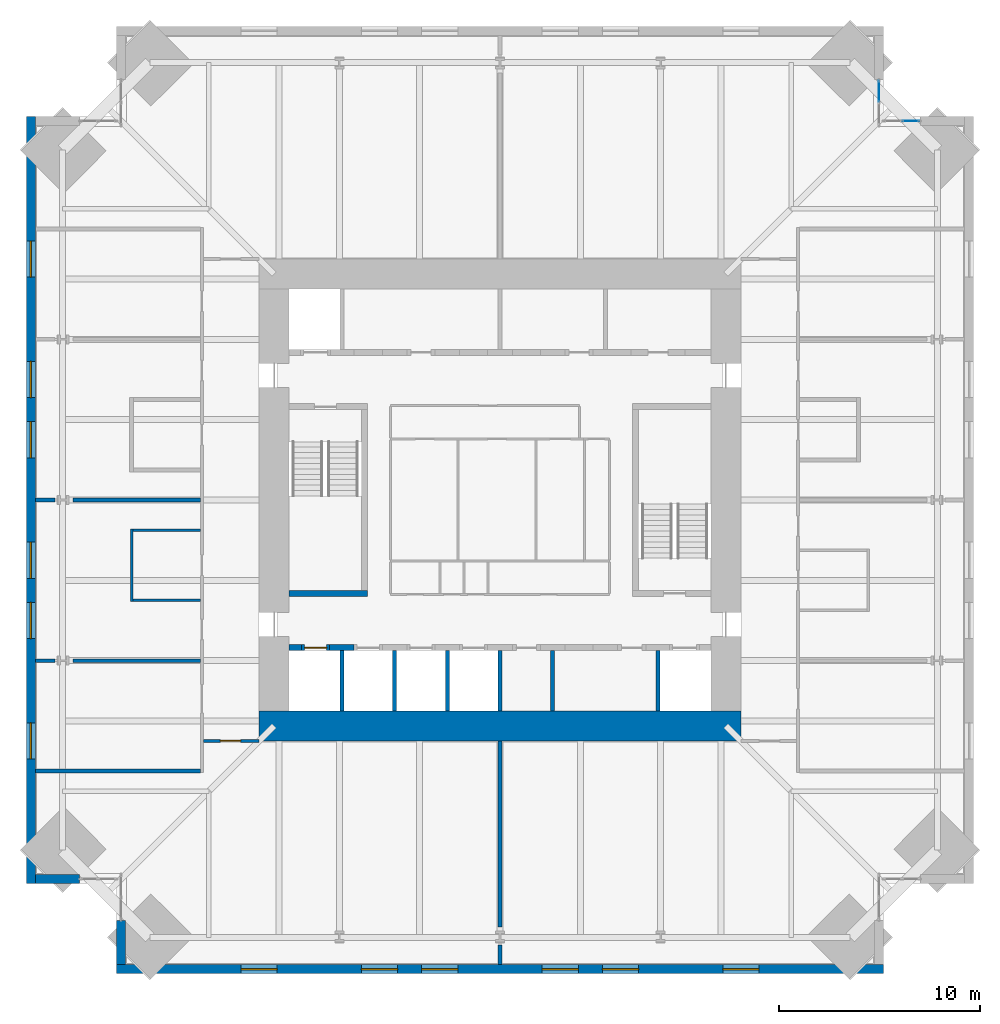
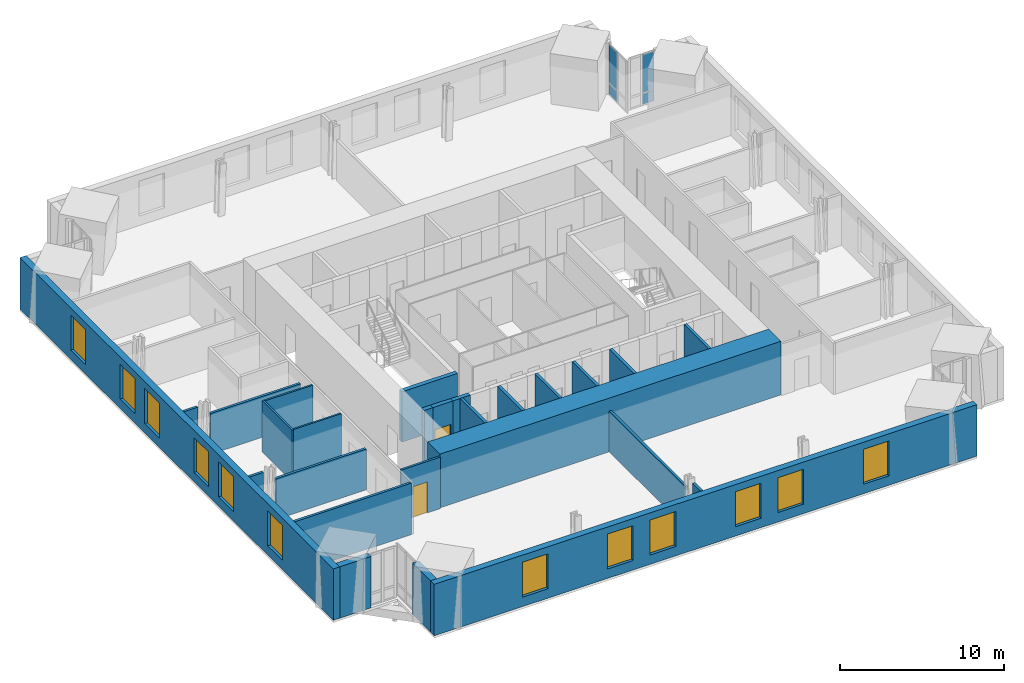
# One storey, part 10 of 15: 26 walls, 12 windows, 4 plates, 2 doors, 14 openings, 2 elements without a shape of their own.
"""IFC4 building model written with IfcOpenShell, lengths in metres."""

from ifc_helpers import new_model, si_unit, direction, frame, frame_2d, origin, origin_2d, place, context, subcontext, project, spatial, rectangle, extrude, material, layer, layer_set, type_object, element, fill, aggregate, save


model = new_model("IFC4")

# Units and contexts
model_context = context("Model", 3, precision=1e-05, world=origin(), true_north=direction((0.0, 1.0)))
body_context = subcontext(model_context, "Body", "Model", "MODEL_VIEW")
ifc_project = project(units=[si_unit("LENGTHUNIT", "METRE"), si_unit("AREAUNIT", "SQUARE_METRE"), si_unit("VOLUMEUNIT", "CUBIC_METRE"), si_unit("PLANEANGLEUNIT", "RADIAN"), si_unit("MASSUNIT", "GRAM", prefix="KILO")], contexts=[model_context])

# Site, building, storey
site_placement = place(None, origin())
site = spatial("IfcSite", under=ifc_project, at=site_placement, CompositionType="ELEMENT")
building_placement = place(site_placement, origin())
building = spatial("IfcBuilding", under=site, at=building_placement, Name="Peilmerk Tower", CompositionType="ELEMENT")
storey_placement = place(building_placement, frame((0.0, 0.0, 225.800048828125)))
storey = spatial("IfcBuildingStorey", under=building, at=storey_placement, Name="L49", CompositionType="ELEMENT", Elevation=225.800048828125)

# Curtain wall, plates
ifc_material_1 = material(Name="Aluminium stick curtain wall", Category="aluminium")
curtain_wall_type = type_object("IfcCurtainWallType", Name="CW4 stick curtain wall, 2250 module", PredefinedType="NOTDEFINED", material=ifc_material_1)
curtain_wall_1_placement = place(storey_placement, origin())
curtain_wall_1 = element("IfcCurtainWall", 1, at=curtain_wall_1_placement, inside=storey, type_object=curtain_wall_type, Name="Curtain wall CW4 NEA L49", PredefinedType="NOTDEFINED")
ifc_material_2 = material(Name="Clear insulated glazing unit", Category="glass")
ifc_layer_1 = layer(ifc_material_2, 0.028076171875)
ifc_layer_set_1 = layer_set([ifc_layer_1], Name="Clear insulated glazing unit")
plate_type = type_object("IfcPlateType", Name="CW4-P 28 glazed panel", PredefinedType="CURTAIN_PANEL", material=ifc_layer_set_1)
plate_1_placement = place(storey_placement, frame((18.875, 20.350341796875, 0.06494140625), z_axis=(0.0, 0.0, 1.0), x_axis=(0.0, 1.0, 0.0)))
plate_1 = element("IfcPlate", 2, at=plate_1_placement, type_object=plate_type, Name="CW4 panel 2.1", PredefinedType="CURTAIN_PANEL", context=body_context, shape_type="SweptSolid", body=[
    extrude(rectangle(XDim=1.046875, YDim=0.028076171875, at=origin_2d()), origin(), (0.0, 0.0, 1.0), 0.802490234375),
])
plate_2_placement = place(storey_placement, frame((18.875, 20.350341796875, 0.932373046875), z_axis=(0.0, 0.0, 1.0), x_axis=(0.0, 1.0, 0.0)))
plate_2 = element("IfcPlate", 3, at=plate_2_placement, type_object=plate_type, Name="CW4 panel 2.2", PredefinedType="CURTAIN_PANEL", context=body_context, shape_type="SweptSolid", body=[
    extrude(rectangle(XDim=1.046875, YDim=0.028076171875, at=origin_2d()), origin(), (0.0, 0.0, 1.0), 2.83251953125),
])
aggregate(curtain_wall_1, [plate_1, plate_2])

curtain_wall_2_placement = place(storey_placement, origin())
curtain_wall_2 = element("IfcCurtainWall", 4, at=curtain_wall_2_placement, inside=storey, type_object=curtain_wall_type, Name="Curtain wall CW4 NEB L49", PredefinedType="NOTDEFINED")
plate_3_placement = place(storey_placement, frame((20.462646484375, 18.875, 0.06494140625), z_axis=(0.0, 0.0, 1.0), x_axis=(1.0, 0.0, 0.0)))
plate_3 = element("IfcPlate", 5, at=plate_3_placement, type_object=plate_type, Name="CW4 panel 2.1", PredefinedType="CURTAIN_PANEL", context=body_context, shape_type="SweptSolid", body=[
    extrude(rectangle(XDim=0.82177734375, YDim=0.028076171875, at=origin_2d()), origin(), (0.0, 0.0, 1.0), 0.802490234375),
])
plate_4_placement = place(storey_placement, frame((20.462646484375, 18.875, 0.932373046875), z_axis=(0.0, 0.0, 1.0), x_axis=(1.0, 0.0, 0.0)))
plate_4 = element("IfcPlate", 6, at=plate_4_placement, type_object=plate_type, Name="CW4 panel 2.2", PredefinedType="CURTAIN_PANEL", context=body_context, shape_type="SweptSolid", body=[
    extrude(rectangle(XDim=0.82177734375, YDim=0.028076171875, at=origin_2d()), origin(), (0.0, 0.0, 1.0), 2.83251953125),
])
aggregate(curtain_wall_2, [plate_3, plate_4])

# Wall, openings, windows
ifc_material_3 = material(Name="Precast concrete C45/55, board-marked finish", Category="concrete")
ifc_layer_2 = layer(ifc_material_3, 0.449951171875)
ifc_layer_set_2 = layer_set([ifc_layer_2], Name="Precast concrete C45/55, board-marked finish")
wall_type_1 = type_object("IfcWallType", Name="EW1 450 precast concrete facade wall, board-marked", PredefinedType="SOLIDWALL", material=ifc_layer_set_2)
wall_1_placement = place(storey_placement, frame((-19.10009765625, -23.375, 0.0), z_axis=(0.0, 0.0, 1.0), x_axis=(1.0, 0.0, 0.0)))
wall_1 = element("IfcWall", 7, at=wall_1_placement, inside=storey, type_object=wall_type_1, Name="Facade wall S L49", PredefinedType="SOLIDWALL", context=body_context, shape_type="SweptSolid", body=[
    extrude(rectangle(XDim=38.2001953125, YDim=0.449951171875, at=frame_2d((19.10009765625, 0.0))), origin(), (0.0, 0.0, 1.0), 3.829833984375),
])
opening_1_placement = place(wall_1_placement, frame((6.199951171875, 0.0, 0.699951171875)))
opening_1 = element("IfcOpeningElement", 8, at=opening_1_placement, cuts=wall_1, Name="Opening W1", PredefinedType="OPENING", context=body_context, shape_type="SweptSolid", body=[
    extrude(rectangle(XDim=1.800048828125, YDim=2.60009765625, at=frame_2d((0.89990234375, 1.300048828125))), frame((0.0, 0.23486328125, 0.0), z_axis=(0.0, -1.0, 0.0), x_axis=(1.0, 0.0, 0.0)), (0.0, 0.0, 1.0), 0.469970703125),
])
opening_2_placement = place(wall_1_placement, frame((12.199951171875, 0.0, 0.699951171875)))
opening_2 = element("IfcOpeningElement", 9, at=opening_2_placement, cuts=wall_1, Name="Opening W1", PredefinedType="OPENING", context=body_context, shape_type="SweptSolid", body=[
    extrude(rectangle(XDim=1.800048828125, YDim=2.60009765625, at=frame_2d((0.89990234375, 1.300048828125))), frame((0.0, 0.23486328125, 0.0), z_axis=(0.0, -1.0, 0.0), x_axis=(1.0, 0.0, 0.0)), (0.0, 0.0, 1.0), 0.469970703125),
])
opening_3_placement = place(wall_1_placement, frame((15.199951171875, 0.0, 0.699951171875)))
opening_3 = element("IfcOpeningElement", 10, at=opening_3_placement, cuts=wall_1, Name="Opening W1", PredefinedType="OPENING", context=body_context, shape_type="SweptSolid", body=[
    extrude(rectangle(XDim=1.800048828125, YDim=2.60009765625, at=frame_2d((0.89990234375, 1.300048828125))), frame((0.0, 0.23486328125, 0.0), z_axis=(0.0, -1.0, 0.0), x_axis=(1.0, 0.0, 0.0)), (0.0, 0.0, 1.0), 0.469970703125),
])
opening_4_placement = place(wall_1_placement, frame((21.199951171875, 0.0, 0.699951171875)))
opening_4 = element("IfcOpeningElement", 11, at=opening_4_placement, cuts=wall_1, Name="Opening W1", PredefinedType="OPENING", context=body_context, shape_type="SweptSolid", body=[
    extrude(rectangle(XDim=1.800048828125, YDim=2.60009765625, at=frame_2d((0.89990234375, 1.300048828125))), frame((0.0, 0.23486328125, 0.0), z_axis=(0.0, -1.0, 0.0), x_axis=(1.0, 0.0, 0.0)), (0.0, 0.0, 1.0), 0.469970703125),
])
opening_5_placement = place(wall_1_placement, frame((24.199951171875, 0.0, 0.699951171875)))
opening_5 = element("IfcOpeningElement", 12, at=opening_5_placement, cuts=wall_1, Name="Opening W1", PredefinedType="OPENING", context=body_context, shape_type="SweptSolid", body=[
    extrude(rectangle(XDim=1.800048828125, YDim=2.60009765625, at=frame_2d((0.89990234375, 1.300048828125))), frame((0.0, 0.23486328125, 0.0), z_axis=(0.0, -1.0, 0.0), x_axis=(1.0, 0.0, 0.0)), (0.0, 0.0, 1.0), 0.469970703125),
])
opening_6_placement = place(wall_1_placement, frame((30.199951171875, 0.0, 0.699951171875)))
opening_6 = element("IfcOpeningElement", 13, at=opening_6_placement, cuts=wall_1, Name="Opening W1", PredefinedType="OPENING", context=body_context, shape_type="SweptSolid", body=[
    extrude(rectangle(XDim=1.800048828125, YDim=2.60009765625, at=frame_2d((0.89990234375, 1.300048828125))), frame((0.0, 0.23486328125, 0.0), z_axis=(0.0, -1.0, 0.0), x_axis=(1.0, 0.0, 0.0)), (0.0, 0.0, 1.0), 0.469970703125),
])
ifc_material_4 = material(Name="Aluminium frame, clear double glazing", Category="aluminium")
window_type = type_object("IfcWindowType", Name="W1 1800x2600 office window", PartitioningType="SINGLE_PANEL", PredefinedType="WINDOW", material=ifc_material_4)
window_1_placement = place(opening_1_placement, origin())
window_1 = element("IfcWindow", 14, at=window_1_placement, inside=storey, type_object=window_type, Name="Window W1 L49", OverallHeight=2.60009765625, OverallWidth=1.800048828125, PartitioningType="SINGLE_PANEL", PredefinedType="WINDOW", context=body_context, shape_type="SweptSolid", body=[
    extrude(rectangle(XDim=1.800048828125, YDim=2.60009765625, at=frame_2d((0.89990234375, 1.300048828125))), frame((0.0, 0.030029296875, 0.0), z_axis=(0.0, -1.0, 0.0), x_axis=(1.0, 0.0, 0.0)), (0.0, 0.0, 1.0), 0.06005859375),
])
fill(opening_1, window_1)
window_2_placement = place(opening_2_placement, origin())
window_2 = element("IfcWindow", 15, at=window_2_placement, inside=storey, type_object=window_type, Name="Window W1 L49", OverallHeight=2.60009765625, OverallWidth=1.800048828125, PartitioningType="SINGLE_PANEL", PredefinedType="WINDOW", context=body_context, shape_type="SweptSolid", body=[
    extrude(rectangle(XDim=1.800048828125, YDim=2.60009765625, at=frame_2d((0.89990234375, 1.300048828125))), frame((0.0, 0.030029296875, 0.0), z_axis=(0.0, -1.0, 0.0), x_axis=(1.0, 0.0, 0.0)), (0.0, 0.0, 1.0), 0.06005859375),
])
fill(opening_2, window_2)
window_3_placement = place(opening_3_placement, origin())
window_3 = element("IfcWindow", 16, at=window_3_placement, inside=storey, type_object=window_type, Name="Window W1 L49", OverallHeight=2.60009765625, OverallWidth=1.800048828125, PartitioningType="SINGLE_PANEL", PredefinedType="WINDOW", context=body_context, shape_type="SweptSolid", body=[
    extrude(rectangle(XDim=1.800048828125, YDim=2.60009765625, at=frame_2d((0.89990234375, 1.300048828125))), frame((0.0, 0.030029296875, 0.0), z_axis=(0.0, -1.0, 0.0), x_axis=(1.0, 0.0, 0.0)), (0.0, 0.0, 1.0), 0.06005859375),
])
fill(opening_3, window_3)
window_4_placement = place(opening_4_placement, origin())
window_4 = element("IfcWindow", 17, at=window_4_placement, inside=storey, type_object=window_type, Name="Window W1 L49", OverallHeight=2.60009765625, OverallWidth=1.800048828125, PartitioningType="SINGLE_PANEL", PredefinedType="WINDOW", context=body_context, shape_type="SweptSolid", body=[
    extrude(rectangle(XDim=1.800048828125, YDim=2.60009765625, at=frame_2d((0.89990234375, 1.300048828125))), frame((0.0, 0.030029296875, 0.0), z_axis=(0.0, -1.0, 0.0), x_axis=(1.0, 0.0, 0.0)), (0.0, 0.0, 1.0), 0.06005859375),
])
fill(opening_4, window_4)
window_5_placement = place(opening_5_placement, origin())
window_5 = element("IfcWindow", 18, at=window_5_placement, inside=storey, type_object=window_type, Name="Window W1 L49", OverallHeight=2.60009765625, OverallWidth=1.800048828125, PartitioningType="SINGLE_PANEL", PredefinedType="WINDOW", context=body_context, shape_type="SweptSolid", body=[
    extrude(rectangle(XDim=1.800048828125, YDim=2.60009765625, at=frame_2d((0.89990234375, 1.300048828125))), frame((0.0, 0.030029296875, 0.0), z_axis=(0.0, -1.0, 0.0), x_axis=(1.0, 0.0, 0.0)), (0.0, 0.0, 1.0), 0.06005859375),
])
fill(opening_5, window_5)
window_6_placement = place(opening_6_placement, origin())
window_6 = element("IfcWindow", 19, at=window_6_placement, inside=storey, type_object=window_type, Name="Window W1 L49", OverallHeight=2.60009765625, OverallWidth=1.800048828125, PartitioningType="SINGLE_PANEL", PredefinedType="WINDOW", context=body_context, shape_type="SweptSolid", body=[
    extrude(rectangle(XDim=1.800048828125, YDim=2.60009765625, at=frame_2d((0.89990234375, 1.300048828125))), frame((0.0, 0.030029296875, 0.0), z_axis=(0.0, -1.0, 0.0), x_axis=(1.0, 0.0, 0.0)), (0.0, 0.0, 1.0), 0.06005859375),
])
fill(opening_6, window_6)

wall_2_placement = place(storey_placement, frame((-23.375, 19.10009765625, 0.0), z_axis=(0.0, 0.0, 1.0), x_axis=(0.0, -1.0, 0.0)))
wall_2 = element("IfcWall", 20, at=wall_2_placement, inside=storey, type_object=wall_type_1, Name="Facade wall W L49", PredefinedType="SOLIDWALL", context=body_context, shape_type="SweptSolid", body=[
    extrude(rectangle(XDim=38.2001953125, YDim=0.449951171875, at=frame_2d((19.10009765625, 0.0))), origin(), (0.0, 0.0, 1.0), 3.829833984375),
])
opening_7_placement = place(wall_2_placement, frame((6.199951171875, 0.0, 0.699951171875)))
opening_7 = element("IfcOpeningElement", 21, at=opening_7_placement, cuts=wall_2, Name="Opening W1", PredefinedType="OPENING", context=body_context, shape_type="SweptSolid", body=[
    extrude(rectangle(XDim=1.800048828125, YDim=2.60009765625, at=frame_2d((0.89990234375, 1.300048828125))), frame((0.0, 0.23486328125, 0.0), z_axis=(0.0, -1.0, 0.0), x_axis=(1.0, 0.0, 0.0)), (0.0, 0.0, 1.0), 0.469970703125),
])
opening_8_placement = place(wall_2_placement, frame((12.199951171875, 0.0, 0.699951171875)))
opening_8 = element("IfcOpeningElement", 22, at=opening_8_placement, cuts=wall_2, Name="Opening W1", PredefinedType="OPENING", context=body_context, shape_type="SweptSolid", body=[
    extrude(rectangle(XDim=1.800048828125, YDim=2.60009765625, at=frame_2d((0.89990234375, 1.300048828125))), frame((0.0, 0.23486328125, 0.0), z_axis=(0.0, -1.0, 0.0), x_axis=(1.0, 0.0, 0.0)), (0.0, 0.0, 1.0), 0.469970703125),
])
opening_9_placement = place(wall_2_placement, frame((15.199951171875, 0.0, 0.699951171875)))
opening_9 = element("IfcOpeningElement", 23, at=opening_9_placement, cuts=wall_2, Name="Opening W1", PredefinedType="OPENING", context=body_context, shape_type="SweptSolid", body=[
    extrude(rectangle(XDim=1.800048828125, YDim=2.60009765625, at=frame_2d((0.89990234375, 1.300048828125))), frame((0.0, 0.23486328125, 0.0), z_axis=(0.0, -1.0, 0.0), x_axis=(1.0, 0.0, 0.0)), (0.0, 0.0, 1.0), 0.469970703125),
])
opening_10_placement = place(wall_2_placement, frame((21.199951171875, 0.0, 0.699951171875)))
opening_10 = element("IfcOpeningElement", 24, at=opening_10_placement, cuts=wall_2, Name="Opening W1", PredefinedType="OPENING", context=body_context, shape_type="SweptSolid", body=[
    extrude(rectangle(XDim=1.800048828125, YDim=2.60009765625, at=frame_2d((0.89990234375, 1.300048828125))), frame((0.0, 0.23486328125, 0.0), z_axis=(0.0, -1.0, 0.0), x_axis=(1.0, 0.0, 0.0)), (0.0, 0.0, 1.0), 0.469970703125),
])
opening_11_placement = place(wall_2_placement, frame((24.199951171875, 0.0, 0.699951171875)))
opening_11 = element("IfcOpeningElement", 25, at=opening_11_placement, cuts=wall_2, Name="Opening W1", PredefinedType="OPENING", context=body_context, shape_type="SweptSolid", body=[
    extrude(rectangle(XDim=1.800048828125, YDim=2.60009765625, at=frame_2d((0.89990234375, 1.300048828125))), frame((0.0, 0.23486328125, 0.0), z_axis=(0.0, -1.0, 0.0), x_axis=(1.0, 0.0, 0.0)), (0.0, 0.0, 1.0), 0.469970703125),
])
opening_12_placement = place(wall_2_placement, frame((30.199951171875, 0.0, 0.699951171875)))
opening_12 = element("IfcOpeningElement", 26, at=opening_12_placement, cuts=wall_2, Name="Opening W1", PredefinedType="OPENING", context=body_context, shape_type="SweptSolid", body=[
    extrude(rectangle(XDim=1.800048828125, YDim=2.60009765625, at=frame_2d((0.89990234375, 1.300048828125))), frame((0.0, 0.23486328125, 0.0), z_axis=(0.0, -1.0, 0.0), x_axis=(1.0, 0.0, 0.0)), (0.0, 0.0, 1.0), 0.469970703125),
])
window_7_placement = place(opening_7_placement, origin())
window_7 = element("IfcWindow", 27, at=window_7_placement, inside=storey, type_object=window_type, Name="Window W1 L49", OverallHeight=2.60009765625, OverallWidth=1.800048828125, PartitioningType="SINGLE_PANEL", PredefinedType="WINDOW", context=body_context, shape_type="SweptSolid", body=[
    extrude(rectangle(XDim=1.800048828125, YDim=2.60009765625, at=frame_2d((0.89990234375, 1.300048828125))), frame((0.0, 0.030029296875, 0.0), z_axis=(0.0, -1.0, 0.0), x_axis=(1.0, 0.0, 0.0)), (0.0, 0.0, 1.0), 0.06005859375),
])
fill(opening_7, window_7)
window_8_placement = place(opening_8_placement, origin())
window_8 = element("IfcWindow", 28, at=window_8_placement, inside=storey, type_object=window_type, Name="Window W1 L49", OverallHeight=2.60009765625, OverallWidth=1.800048828125, PartitioningType="SINGLE_PANEL", PredefinedType="WINDOW", context=body_context, shape_type="SweptSolid", body=[
    extrude(rectangle(XDim=1.800048828125, YDim=2.60009765625, at=frame_2d((0.89990234375, 1.300048828125))), frame((0.0, 0.030029296875, 0.0), z_axis=(0.0, -1.0, 0.0), x_axis=(1.0, 0.0, 0.0)), (0.0, 0.0, 1.0), 0.06005859375),
])
fill(opening_8, window_8)
window_9_placement = place(opening_9_placement, origin())
window_9 = element("IfcWindow", 29, at=window_9_placement, inside=storey, type_object=window_type, Name="Window W1 L49", OverallHeight=2.60009765625, OverallWidth=1.800048828125, PartitioningType="SINGLE_PANEL", PredefinedType="WINDOW", context=body_context, shape_type="SweptSolid", body=[
    extrude(rectangle(XDim=1.800048828125, YDim=2.60009765625, at=frame_2d((0.89990234375, 1.300048828125))), frame((0.0, 0.030029296875, 0.0), z_axis=(0.0, -1.0, 0.0), x_axis=(1.0, 0.0, 0.0)), (0.0, 0.0, 1.0), 0.06005859375),
])
fill(opening_9, window_9)
window_10_placement = place(opening_10_placement, origin())
window_10 = element("IfcWindow", 30, at=window_10_placement, inside=storey, type_object=window_type, Name="Window W1 L49", OverallHeight=2.60009765625, OverallWidth=1.800048828125, PartitioningType="SINGLE_PANEL", PredefinedType="WINDOW", context=body_context, shape_type="SweptSolid", body=[
    extrude(rectangle(XDim=1.800048828125, YDim=2.60009765625, at=frame_2d((0.89990234375, 1.300048828125))), frame((0.0, 0.030029296875, 0.0), z_axis=(0.0, -1.0, 0.0), x_axis=(1.0, 0.0, 0.0)), (0.0, 0.0, 1.0), 0.06005859375),
])
fill(opening_10, window_10)
window_11_placement = place(opening_11_placement, origin())
window_11 = element("IfcWindow", 31, at=window_11_placement, inside=storey, type_object=window_type, Name="Window W1 L49", OverallHeight=2.60009765625, OverallWidth=1.800048828125, PartitioningType="SINGLE_PANEL", PredefinedType="WINDOW", context=body_context, shape_type="SweptSolid", body=[
    extrude(rectangle(XDim=1.800048828125, YDim=2.60009765625, at=frame_2d((0.89990234375, 1.300048828125))), frame((0.0, 0.030029296875, 0.0), z_axis=(0.0, -1.0, 0.0), x_axis=(1.0, 0.0, 0.0)), (0.0, 0.0, 1.0), 0.06005859375),
])
fill(opening_11, window_11)
window_12_placement = place(opening_12_placement, origin())
window_12 = element("IfcWindow", 32, at=window_12_placement, inside=storey, type_object=window_type, Name="Window W1 L49", OverallHeight=2.60009765625, OverallWidth=1.800048828125, PartitioningType="SINGLE_PANEL", PredefinedType="WINDOW", context=body_context, shape_type="SweptSolid", body=[
    extrude(rectangle(XDim=1.800048828125, YDim=2.60009765625, at=frame_2d((0.89990234375, 1.300048828125))), frame((0.0, 0.030029296875, 0.0), z_axis=(0.0, -1.0, 0.0), x_axis=(1.0, 0.0, 0.0)), (0.0, 0.0, 1.0), 0.06005859375),
])
fill(opening_12, window_12)

# Walls
for number, where, z_axis, x_axis, name in (
    (33, (-18.875, -20.95361328125, 0.0), (0.0, 0.0, 1.0), (0.0, -1.0, 0.0), "Facade wall SWA L49"),
    (34, (-20.95361328125, -18.875, 0.0), (0.0, 0.0, 1.0), (-1.0, 0.0, 0.0), "Facade wall SWB L49"),
):
    element("IfcWall", number, at=place(storey_placement, frame(where, z_axis=z_axis, x_axis=x_axis)), inside=storey, type_object=wall_type_1, Name=name, PredefinedType="SOLIDWALL", context=body_context, shape_type="SweptSolid", body=[
        extrude(rectangle(XDim=2.1962890625, YDim=0.449951171875, at=frame_2d((1.09814453125, 0.0))), origin(), (0.0, 0.0, 1.0), 3.829833984375),
    ])

# Wall, opening, door
ifc_material_5 = material(Name="Calcium silicate block", Category="masonry")
ifc_layer_3 = layer(ifc_material_5, 0.14990234375)
ifc_layer_set_3 = layer_set([ifc_layer_3], Name="Calcium silicate block")
wall_type_2 = type_object("IfcWallType", Name="IW1 150 corridor partition, EI 60", PredefinedType="PARTITIONING", material=ifc_layer_set_3)
wall_3_placement = place(storey_placement, frame((-12.0, -12.0, 0.0), z_axis=(0.0, 0.0, 1.0), x_axis=(-1.0, 0.0, 0.0)))
wall_3 = element("IfcWall", 35, at=wall_3_placement, inside=storey, type_object=wall_type_2, Name="Corridor wall SW L49", PredefinedType="PARTITIONING", context=body_context, shape_type="SweptSolid", body=[
    extrude(rectangle(XDim=2.77490234375, YDim=0.14990234375, at=frame_2d((1.387451171875, 0.0))), origin(), (0.0, 0.0, 1.0), 3.829833984375),
])
opening_13_placement = place(wall_3_placement, frame((0.925048828125, 0.0, 0.0)))
opening_13 = element("IfcOpeningElement", 36, at=opening_13_placement, cuts=wall_3, Name="Opening D1", PredefinedType="OPENING", context=body_context, shape_type="SweptSolid", body=[
    extrude(rectangle(XDim=1.0, YDim=2.300048828125, at=frame_2d((0.5, 1.14990234375))), frame((0.0, 0.0849609375, 0.0), z_axis=(0.0, -1.0, 0.0), x_axis=(1.0, 0.0, 0.0)), (0.0, 0.0, 1.0), 0.169921875),
])
ifc_material_6 = material(Name="Timber door in steel frame", Category="steel")
door_type_1 = type_object("IfcDoorType", Name="D1 1000x2300 room door, EI2 30", OperationType="SINGLE_SWING_LEFT", PredefinedType="DOOR", material=ifc_material_6)
door_1_placement = place(opening_13_placement, origin())
door_1 = element("IfcDoor", 37, at=door_1_placement, inside=storey, type_object=door_type_1, Name="Door Office L49", OperationType="SINGLE_SWING_LEFT", OverallHeight=2.300048828125, OverallWidth=1.0, PredefinedType="DOOR", context=body_context, shape_type="SweptSolid", body=[
    extrude(rectangle(XDim=1.0, YDim=2.300048828125, at=frame_2d((0.5, 1.14990234375))), frame((0.0, 0.02490234375, 0.0), z_axis=(0.0, -1.0, 0.0), x_axis=(1.0, 0.0, 0.0)), (0.0, 0.0, 1.0), 0.050048828125),
])
fill(opening_13, door_1)

# Walls
ifc_material_7 = material(Name="Concrete C35/45", Category="concrete")
ifc_layer_4 = layer(ifc_material_7, 0.300048828125)
ifc_layer_set_4 = layer_set([ifc_layer_4], Name="Concrete C35/45")
wall_type_3 = type_object("IfcWallType", Name="IW3 300 concrete stair enclosure wall, EI 120", PredefinedType="SOLIDWALL", material=ifc_layer_set_4)
wall_4_placement = place(storey_placement, frame((-6.60009765625, -4.64990234375, 0.0), z_axis=(0.0, 0.0, 1.0), x_axis=(-1.0, 0.0, 0.0)))
element("IfcWall", 38, at=wall_4_placement, inside=storey, type_object=wall_type_3, Name="Stair 1 enclosure L49", PredefinedType="SOLIDWALL", context=body_context, shape_type="SweptSolid", body=[
    extrude(rectangle(XDim=3.89990234375, YDim=0.300048828125, at=frame_2d((1.949951171875, 0.0))), origin(), (0.0, 0.0, 1.0), 3.75),
])
ifc_material_8 = material(Name="Plasterboard on steel studs, double boarded with mineral wool", Category="steel")
ifc_layer_5 = layer(ifc_material_8, 0.125)
ifc_layer_set_5 = layer_set([ifc_layer_5], Name="Plasterboard on steel studs, double boarded with mineral wool")
wall_type_4 = type_object("IfcWallType", Name="IW7 125 acoustic partition, EI 30", PredefinedType="PARTITIONING", material=ifc_layer_set_5)
wall_5_placement = place(storey_placement, frame((-18.35009765625, -5.0625, 0.0), z_axis=(0.0, 0.0, 1.0), x_axis=(0.0, 1.0, 0.0)))
element("IfcWall", 39, at=wall_5_placement, inside=storey, type_object=wall_type_4, Name="Acoustic partition Pantry L49", PredefinedType="PARTITIONING", context=body_context, shape_type="SweptSolid", body=[
    extrude(rectangle(XDim=3.625, YDim=0.125, at=frame_2d((1.8125, 0.0))), origin(), (0.0, 0.0, 1.0), 3.829833984375),
])
for number, where, z_axis, x_axis, name in (
    (40, (-14.925048828125, -5.0, 0.0), (0.0, 0.0, 1.0), (-1.0, 0.0, 0.0), "Acoustic partition Pantry L49"),
    (41, (-14.925048828125, -1.5, 0.0), (0.0, 0.0, 1.0), (-1.0, 0.0, 0.0), "Acoustic partition Pantry L49"),
):
    element("IfcWall", number, at=place(storey_placement, frame(where, z_axis=z_axis, x_axis=x_axis)), inside=storey, type_object=wall_type_4, Name=name, PredefinedType="PARTITIONING", context=body_context, shape_type="SweptSolid", body=[
        extrude(rectangle(XDim=3.362548828125, YDim=0.125, at=frame_2d((1.68115234375, 0.0))), origin(), (0.0, 0.0, 1.0), 3.829833984375),
    ])
ifc_layer_6 = layer(ifc_material_5, 0.175048828125)
ifc_layer_set_6 = layer_set([ifc_layer_6], Name="Calcium silicate block")
wall_type_5 = type_object("IfcWallType", Name="IW8 175 tenant separating wall, EI 60", PredefinedType="PARTITIONING", material=ifc_layer_set_6)
wall_6_placement = place(storey_placement, frame((-14.925048828125, -13.5, 0.0), z_axis=(0.0, 0.0, 1.0), x_axis=(-1.0, 0.0, 0.0)))
element("IfcWall", 42, at=wall_6_placement, inside=storey, type_object=wall_type_5, Name="Tenant separating wall SW L49", PredefinedType="PARTITIONING", context=body_context, shape_type="SweptSolid", body=[
    extrude(rectangle(XDim=8.224853515625, YDim=0.175048828125, at=frame_2d((4.1123046875, 0.0))), origin(), (0.0, 0.0, 1.0), 3.829833984375),
])
wall_7_placement = place(storey_placement, frame((0.0, -12.0, 0.0), z_axis=(0.0, 0.0, 1.0), x_axis=(0.0, -1.0, 0.0)))
element("IfcWall", 43, at=wall_7_placement, inside=storey, type_object=wall_type_5, Name="Tenant separating wall S1 L49", PredefinedType="PARTITIONING", context=body_context, shape_type="SweptSolid", body=[
    extrude(rectangle(XDim=9.2666015625, YDim=0.175048828125, at=frame_2d((4.63330078125, 0.0))), origin(), (0.0, 0.0, 1.0), 3.0400390625),
])
wall_8_placement = place(storey_placement, frame((0.0, -22.156005859375, 0.0), z_axis=(0.0, 0.0, 1.0), x_axis=(0.0, -1.0, 0.0)))
element("IfcWall", 44, at=wall_8_placement, inside=storey, type_object=wall_type_5, Name="Tenant separating wall S1b L49", PredefinedType="PARTITIONING", context=body_context, shape_type="SweptSolid", body=[
    extrude(rectangle(XDim=0.993896484375, YDim=0.175048828125, at=frame_2d((0.4970703125, 0.0))), origin(), (0.0, 0.0, 1.0), 3.829833984375),
])
wall_9_placement = place(storey_placement, frame((-14.925048828125, -8.0, 0.0), z_axis=(0.0, 0.0, 1.0), x_axis=(-1.0, 0.0, 0.0)))
element("IfcWall", 45, at=wall_9_placement, inside=storey, type_object=wall_type_5, Name="Tenant separating wall W1 L49", PredefinedType="PARTITIONING", context=body_context, shape_type="SweptSolid", body=[
    extrude(rectangle(XDim=6.341552734375, YDim=0.175048828125, at=frame_2d((3.1708984375, 0.0))), origin(), (0.0, 0.0, 1.0), 3.0400390625),
])
wall_10_placement = place(storey_placement, frame((-22.156005859375, -8.0, 0.0), z_axis=(0.0, 0.0, 1.0), x_axis=(-1.0, 0.0, 0.0)))
element("IfcWall", 46, at=wall_10_placement, inside=storey, type_object=wall_type_5, Name="Tenant separating wall W1b L49", PredefinedType="PARTITIONING", context=body_context, shape_type="SweptSolid", body=[
    extrude(rectangle(XDim=0.993896484375, YDim=0.175048828125, at=frame_2d((0.4970703125, 0.0))), origin(), (0.0, 0.0, 1.0), 3.829833984375),
])
wall_11_placement = place(storey_placement, frame((-14.925048828125, 0.0, 0.0), z_axis=(0.0, 0.0, 1.0), x_axis=(-1.0, 0.0, 0.0)))
element("IfcWall", 47, at=wall_11_placement, inside=storey, type_object=wall_type_5, Name="Tenant separating wall W2 L49", PredefinedType="PARTITIONING", context=body_context, shape_type="SweptSolid", body=[
    extrude(rectangle(XDim=6.341552734375, YDim=0.175048828125, at=frame_2d((3.1708984375, 0.0))), origin(), (0.0, 0.0, 1.0), 3.0400390625),
])
wall_12_placement = place(storey_placement, frame((-22.156005859375, 0.0, 0.0), z_axis=(0.0, 0.0, 1.0), x_axis=(-1.0, 0.0, 0.0)))
element("IfcWall", 48, at=wall_12_placement, inside=storey, type_object=wall_type_5, Name="Tenant separating wall W2b L49", PredefinedType="PARTITIONING", context=body_context, shape_type="SweptSolid", body=[
    extrude(rectangle(XDim=0.993896484375, YDim=0.175048828125, at=frame_2d((0.4970703125, 0.0))), origin(), (0.0, 0.0, 1.0), 3.829833984375),
])
ifc_layer_7 = layer(ifc_material_5, 0.199951171875)
ifc_layer_set_7 = layer_set([ifc_layer_7], Name="Calcium silicate block")
wall_type_6 = type_object("IfcWallType", Name="SH1 200 shaft dividing wall, EI 120", PredefinedType="PARTITIONING", material=ifc_layer_set_7)
for number, where, z_axis, x_axis, name in (
    (49, (-7.875, -10.5, 0.0), (0.0, 0.0, 1.0), (0.0, 1.0, 0.0), "Shaft wall S C4 L49"),
    (50, (-5.25, -10.5, 0.0), (0.0, 0.0, 1.0), (0.0, 1.0, 0.0), "Shaft wall S C3 L49"),
    (51, (-2.625, -10.5, 0.0), (0.0, 0.0, 1.0), (0.0, 1.0, 0.0), "Shaft wall S C2 L49"),
    (52, (0.0, -10.5, 0.0), (0.0, 0.0, 1.0), (0.0, 1.0, 0.0), "Shaft wall S C1 L49"),
    (53, (2.625, -10.5, 0.0), (0.0, 0.0, 1.0), (0.0, 1.0, 0.0), "Shaft wall S B3 L49"),
    (54, (7.875, -10.5, 0.0), (0.0, 0.0, 1.0), (0.0, 1.0, 0.0), "Shaft wall S B1 L49"),
):
    element("IfcWall", number, at=place(storey_placement, frame(where, z_axis=z_axis, x_axis=x_axis)), inside=storey, type_object=wall_type_6, Name=name, PredefinedType="PARTITIONING", context=body_context, shape_type="SweptSolid", body=[
        extrude(rectangle(XDim=3.0, YDim=0.199951171875, at=frame_2d((1.5, 0.0))), origin(), (0.0, 0.0, 1.0), 4.0),
    ])

# Wall, opening, door
ifc_layer_8 = layer(ifc_material_5, 0.300048828125)
ifc_layer_set_8 = layer_set([ifc_layer_8], Name="Calcium silicate block")
wall_type_7 = type_object("IfcWallType", Name="SH2 300 lift landing door panel, EI 120", PredefinedType="PARTITIONING", material=ifc_layer_set_8)
wall_13_placement = place(storey_placement, frame((-9.887451171875, -7.35009765625, 0.0), z_axis=(0.0, 0.0, 1.0), x_axis=(1.0, 0.0, 0.0)))
wall_13 = element("IfcWall", 55, at=wall_13_placement, inside=storey, type_object=wall_type_7, Name="Lift door panel S C4 L49", PredefinedType="PARTITIONING", context=body_context, shape_type="SweptSolid", body=[
    extrude(rectangle(XDim=1.39990234375, YDim=0.300048828125, at=frame_2d((0.699951171875, 0.0))), origin(), (0.0, 0.0, 1.0), 4.0),
])
opening_14_placement = place(wall_13_placement, frame((0.14990234375, 0.0, 0.0)))
opening_14 = element("IfcOpeningElement", 56, at=opening_14_placement, cuts=wall_13, Name="Opening LD1", PredefinedType="OPENING", context=body_context, shape_type="SweptSolid", body=[
    extrude(rectangle(XDim=1.10009765625, YDim=2.300048828125, at=frame_2d((0.550048828125, 1.14990234375))), frame((0.0, 0.159912109375, 0.0), z_axis=(0.0, -1.0, 0.0), x_axis=(1.0, 0.0, 0.0)), (0.0, 0.0, 1.0), 0.320068359375),
])
ifc_material_9 = material(Name="Stainless steel landing door", Category="steel")
door_type_2 = type_object("IfcDoorType", Name="LD1 1100x2300 lift landing door, sliding, EI2 60", OperationType="SLIDING_TO_LEFT", PredefinedType="DOOR", material=ifc_material_9)
door_2_placement = place(opening_14_placement, origin())
door_2 = element("IfcDoor", 57, at=door_2_placement, inside=storey, type_object=door_type_2, Name="Lift landing door C4 L49", OperationType="SLIDING_TO_LEFT", OverallHeight=2.300048828125, OverallWidth=1.10009765625, PredefinedType="DOOR", context=body_context, shape_type="SweptSolid", body=[
    extrude(rectangle(XDim=1.10009765625, YDim=2.300048828125, at=frame_2d((0.550048828125, 1.14990234375))), frame((0.0, 0.02490234375, 0.0), z_axis=(0.0, -1.0, 0.0), x_axis=(1.0, 0.0, 0.0)), (0.0, 0.0, 1.0), 0.050048828125),
])
fill(opening_14, door_2)

# Walls
ifc_material_10 = material(Name="Concrete C55/67", Category="concrete")
ifc_layer_9 = layer(ifc_material_10, 1.5)
ifc_layer_set_9 = layer_set([ifc_layer_9], Name="Concrete C55/67")
wall_type_8 = type_object("IfcWallType", Name="SW1 1500 core wall", PredefinedType="SHEAR", material=ifc_layer_set_9)
wall_14_placement = place(storey_placement, frame((12.0, -11.25, 0.0), z_axis=(0.0, 0.0, 1.0), x_axis=(-1.0, 0.0, 0.0)))
element("IfcWall", 58, at=wall_14_placement, inside=storey, type_object=wall_type_8, Name="Core wall S L49", PredefinedType="SHEAR", context=body_context, shape_type="SweptSolid", body=[
    extrude(rectangle(XDim=24.0, YDim=1.5, at=frame_2d((12.0, 0.0))), origin(), (0.0, 0.0, 1.0), 4.0),
])
ifc_layer_10 = layer(ifc_material_10, 0.300048828125)
ifc_layer_set_10 = layer_set([ifc_layer_10], Name="Concrete C55/67")
wall_type_9 = type_object("IfcWallType", Name="SW2 300 lift bank pier", PredefinedType="SHEAR", material=ifc_layer_set_10)
wall_15_placement = place(storey_placement, frame((-10.5, -7.35009765625, 0.0), z_axis=(0.0, 0.0, 1.0), x_axis=(1.0, 0.0, 0.0)))
element("IfcWall", 59, at=wall_15_placement, inside=storey, type_object=wall_type_9, Name="Lift bank pier S L49", PredefinedType="SHEAR", context=body_context, shape_type="SweptSolid", body=[
    extrude(rectangle(XDim=0.612548828125, YDim=0.300048828125, at=frame_2d((0.30615234375, 0.0))), origin(), (0.0, 0.0, 1.0), 4.0),
])
wall_16_placement = place(storey_placement, frame((-8.487548828125, -7.35009765625, 0.0), z_axis=(0.0, 0.0, 1.0), x_axis=(1.0, 0.0, 0.0)))
element("IfcWall", 60, at=wall_16_placement, inside=storey, type_object=wall_type_9, Name="Lift bank pier S L49", PredefinedType="SHEAR", context=body_context, shape_type="SweptSolid", body=[
    extrude(rectangle(XDim=1.22509765625, YDim=0.300048828125, at=frame_2d((0.612548828125, 0.0))), origin(), (0.0, 0.0, 1.0), 4.0),
])

save(model, "model.ifc")
